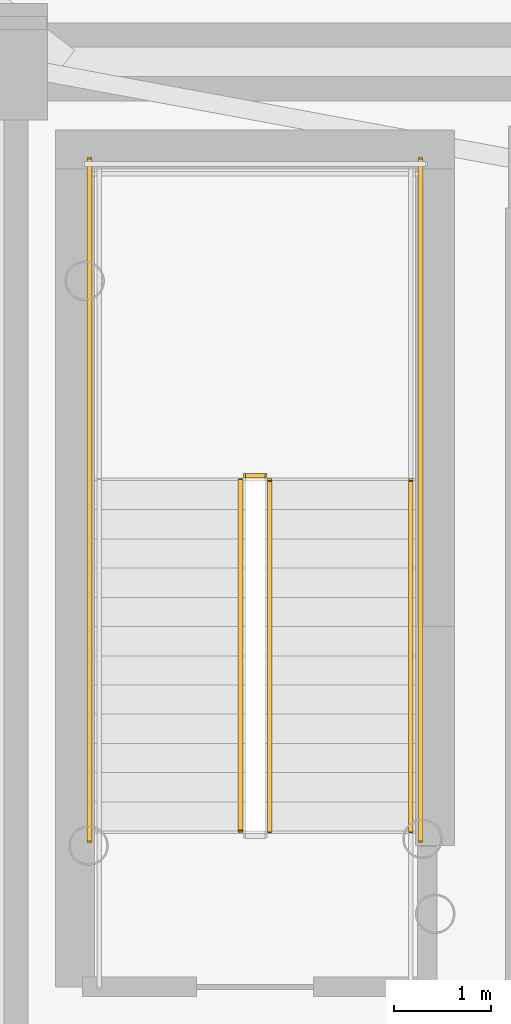
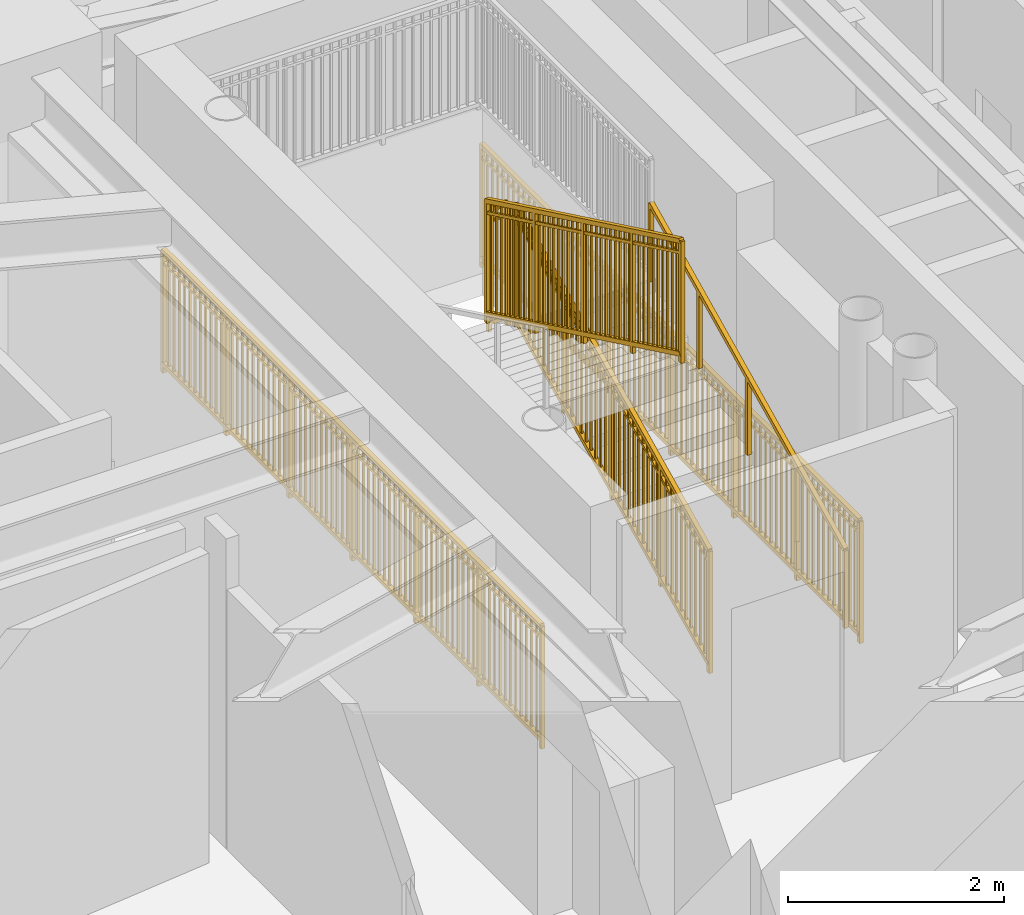
# One storey, part 15 of 19: 6 railings.
"""IFC4 building model written with IfcOpenShell, lengths in metres."""

from ifc_helpers import new_model, si_unit, direction, frame, origin, origin_2d, place, context, subcontext, project, spatial, rectangle, extrude, source, transform, mapped, material, type_object, element, save


model = new_model("IFC4")

# Units and contexts
model_context = context("Model", 3, precision=1e-05, world=origin(), true_north=direction((0.0, 1.0)))
body_context = subcontext(model_context, "Body", "Model", "MODEL_VIEW")
ifc_project = project(units=[si_unit("LENGTHUNIT", "METRE"), si_unit("AREAUNIT", "SQUARE_METRE"), si_unit("VOLUMEUNIT", "CUBIC_METRE"), si_unit("PLANEANGLEUNIT", "RADIAN"), si_unit("MASSUNIT", "GRAM", prefix="KILO")], contexts=[model_context])

# Site, building, storey
site_placement = place(None, origin())
site = spatial("IfcSite", under=ifc_project, at=site_placement, CompositionType="ELEMENT")
building_placement = place(site_placement, origin())
building = spatial("IfcBuilding", under=site, at=building_placement, Name="Linh Dai School and Residence Tower", CompositionType="ELEMENT")
storey_placement = place(building_placement, frame((0.0, 0.0, 174.89990234375)))
storey = spatial("IfcBuildingStorey", under=building, at=storey_placement, Name="L42", CompositionType="ELEMENT", Elevation=174.89990234375)

# Railings
ifc_material_1 = material(Name="Structural Steel S355JR", Category="steel")
railing_type_1 = type_object("IfcRailingType", Name="RL-ST-GUARD-1400", PredefinedType="GUARDRAIL", material=ifc_material_1)
shared_shape_1 = source(origin(), body_context, "Body", "SweptSolid", [
    extrude(rectangle(XDim=0.048095703125, YDim=0.048095703125, at=origin_2d()), frame((0.0, 0.0, 1.3759765625), z_axis=(-1.0, 0.0, 0.0), x_axis=(0.0, -1.0, 0.0)), (0.0, 0.0, 1.0), 0.199951171875),
    extrude(rectangle(XDim=0.048095703125, YDim=0.048095703125, at=origin_2d()), frame((0.0, 0.0, 0.10009765625), z_axis=(-1.0, 0.0, 0.0), x_axis=(0.0, -1.0, 0.0)), (0.0, 0.0, 1.0), 0.199951171875),
    extrude(rectangle(XDim=0.030029296875, YDim=0.030029296875, at=origin_2d()), frame((0.0, 0.0, 1.239990234375), z_axis=(-1.0, 0.0, 0.0), x_axis=(0.0, -1.0, 0.0)), (0.0, 0.0, 1.0), 0.199951171875),
    extrude(rectangle(XDim=0.0419921875, YDim=0.0419921875, at=origin_2d()), origin(), (0.0, 0.0, 1.0), 1.3759765625),
    extrude(rectangle(XDim=0.0419921875, YDim=0.0419921875, at=origin_2d()), frame((-0.199951171875, 0.0, 0.0)), (0.0, 0.0, 1.0), 1.3759765625),
])
railing_1_placement = place(storey_placement, frame((29.429931640625, 29.35009765625, 1.875)))
element("IfcRailing", 1, at=railing_1_placement, inside=storey, type_object=railing_type_1, Name="L42 ST1 stair guard 2", PredefinedType="GUARDRAIL", context=body_context, shape_type="MappedRepresentation", body=[
    mapped(shared_shape_1, transform((0.0, 0.0, 0.0), x_axis=(1.0, 0.0, 0.0), y_axis=(0.0, 1.0, 0.0), z_axis=(0.0, 0.0, 1.0), scale=1.0)),
])
shared_shape_2 = source(origin(), body_context, "Body", "SweptSolid", [
    extrude(rectangle(XDim=0.048095703125, YDim=0.048095703125, at=origin_2d()), frame((0.0, 0.0, 1.3759765625), z_axis=(0.0, 1.0, 0.0), x_axis=(-1.0, 0.0, 0.0)), (0.0, 0.0, 1.0), 7.0),
    extrude(rectangle(XDim=0.048095703125, YDim=0.048095703125, at=origin_2d()), frame((0.0, 0.0, 0.10009765625), z_axis=(0.0, 1.0, 0.0), x_axis=(-1.0, 0.0, 0.0)), (0.0, 0.0, 1.0), 7.0),
    extrude(rectangle(XDim=0.030029296875, YDim=0.030029296875, at=origin_2d()), frame((0.0, 0.0, 1.239990234375), z_axis=(0.0, 1.0, 0.0), x_axis=(-1.0, 0.0, 0.0)), (0.0, 0.0, 1.0), 7.0),
    extrude(rectangle(XDim=0.02001953125, YDim=0.02001953125, at=origin_2d()), frame((0.0, 0.09716796875, 0.10009765625)), (0.0, 0.0, 1.0), 1.251708984375),
    extrude(rectangle(XDim=0.02001953125, YDim=0.02001953125, at=origin_2d()), frame((0.0, 0.1943359375, 0.10009765625)), (0.0, 0.0, 1.0), 1.251708984375),
    extrude(rectangle(XDim=0.02001953125, YDim=0.02001953125, at=origin_2d()), frame((0.0, 0.291748046875, 0.10009765625)), (0.0, 0.0, 1.0), 1.251708984375),
    extrude(rectangle(XDim=0.02001953125, YDim=0.02001953125, at=origin_2d()), frame((0.0, 0.388916015625, 0.10009765625)), (0.0, 0.0, 1.0), 1.251708984375),
    extrude(rectangle(XDim=0.02001953125, YDim=0.02001953125, at=origin_2d()), frame((0.0, 0.486083984375, 0.10009765625)), (0.0, 0.0, 1.0), 1.251708984375),
    extrude(rectangle(XDim=0.02001953125, YDim=0.02001953125, at=origin_2d()), frame((0.0, 0.583251953125, 0.10009765625)), (0.0, 0.0, 1.0), 1.251708984375),
    extrude(rectangle(XDim=0.02001953125, YDim=0.02001953125, at=origin_2d()), frame((0.0, 0.6806640625, 0.10009765625)), (0.0, 0.0, 1.0), 1.251708984375),
    extrude(rectangle(XDim=0.02001953125, YDim=0.02001953125, at=origin_2d()), frame((0.0, 0.77783203125, 0.10009765625)), (0.0, 0.0, 1.0), 1.251708984375),
    extrude(rectangle(XDim=0.02001953125, YDim=0.02001953125, at=origin_2d()), frame((0.0, 0.875, 0.10009765625)), (0.0, 0.0, 1.0), 1.251708984375),
    extrude(rectangle(XDim=0.02001953125, YDim=0.02001953125, at=origin_2d()), frame((0.0, 0.97216796875, 0.10009765625)), (0.0, 0.0, 1.0), 1.251708984375),
    extrude(rectangle(XDim=0.02001953125, YDim=0.02001953125, at=origin_2d()), frame((0.0, 1.0693359375, 0.10009765625)), (0.0, 0.0, 1.0), 1.251708984375),
    extrude(rectangle(XDim=0.02001953125, YDim=0.02001953125, at=origin_2d()), frame((0.0, 1.263916015625, 0.10009765625)), (0.0, 0.0, 1.0), 1.251708984375),
    extrude(rectangle(XDim=0.02001953125, YDim=0.02001953125, at=origin_2d()), frame((0.0, 1.361083984375, 0.10009765625)), (0.0, 0.0, 1.0), 1.251708984375),
    extrude(rectangle(XDim=0.02001953125, YDim=0.02001953125, at=origin_2d()), frame((0.0, 1.458251953125, 0.10009765625)), (0.0, 0.0, 1.0), 1.251708984375),
    extrude(rectangle(XDim=0.02001953125, YDim=0.02001953125, at=origin_2d()), frame((0.0, 1.5556640625, 0.10009765625)), (0.0, 0.0, 1.0), 1.251708984375),
    extrude(rectangle(XDim=0.02001953125, YDim=0.02001953125, at=origin_2d()), frame((0.0, 1.65283203125, 0.10009765625)), (0.0, 0.0, 1.0), 1.251708984375),
    extrude(rectangle(XDim=0.02001953125, YDim=0.02001953125, at=origin_2d()), frame((0.0, 1.75, 0.10009765625)), (0.0, 0.0, 1.0), 1.251708984375),
    extrude(rectangle(XDim=0.02001953125, YDim=0.02001953125, at=origin_2d()), frame((0.0, 1.84716796875, 0.10009765625)), (0.0, 0.0, 1.0), 1.251708984375),
    extrude(rectangle(XDim=0.02001953125, YDim=0.02001953125, at=origin_2d()), frame((0.0, 1.9443359375, 0.10009765625)), (0.0, 0.0, 1.0), 1.251708984375),
    extrude(rectangle(XDim=0.02001953125, YDim=0.02001953125, at=origin_2d()), frame((0.0, 2.041748046875, 0.10009765625)), (0.0, 0.0, 1.0), 1.251708984375),
    extrude(rectangle(XDim=0.02001953125, YDim=0.02001953125, at=origin_2d()), frame((0.0, 2.138916015625, 0.10009765625)), (0.0, 0.0, 1.0), 1.251708984375),
    extrude(rectangle(XDim=0.02001953125, YDim=0.02001953125, at=origin_2d()), frame((0.0, 2.236083984375, 0.10009765625)), (0.0, 0.0, 1.0), 1.251708984375),
    extrude(rectangle(XDim=0.02001953125, YDim=0.02001953125, at=origin_2d()), frame((0.0, 2.4306640625, 0.10009765625)), (0.0, 0.0, 1.0), 1.251708984375),
    extrude(rectangle(XDim=0.02001953125, YDim=0.02001953125, at=origin_2d()), frame((0.0, 2.52783203125, 0.10009765625)), (0.0, 0.0, 1.0), 1.251708984375),
    extrude(rectangle(XDim=0.02001953125, YDim=0.02001953125, at=origin_2d()), frame((0.0, 2.625, 0.10009765625)), (0.0, 0.0, 1.0), 1.251708984375),
    extrude(rectangle(XDim=0.02001953125, YDim=0.02001953125, at=origin_2d()), frame((0.0, 2.72216796875, 0.10009765625)), (0.0, 0.0, 1.0), 1.251708984375),
    extrude(rectangle(XDim=0.02001953125, YDim=0.02001953125, at=origin_2d()), frame((0.0, 2.8193359375, 0.10009765625)), (0.0, 0.0, 1.0), 1.251708984375),
    extrude(rectangle(XDim=0.02001953125, YDim=0.02001953125, at=origin_2d()), frame((0.0, 2.916748046875, 0.10009765625)), (0.0, 0.0, 1.0), 1.251708984375),
    extrude(rectangle(XDim=0.02001953125, YDim=0.02001953125, at=origin_2d()), frame((0.0, 3.013916015625, 0.10009765625)), (0.0, 0.0, 1.0), 1.251708984375),
    extrude(rectangle(XDim=0.02001953125, YDim=0.02001953125, at=origin_2d()), frame((0.0, 3.111083984375, 0.10009765625)), (0.0, 0.0, 1.0), 1.251708984375),
    extrude(rectangle(XDim=0.02001953125, YDim=0.02001953125, at=origin_2d()), frame((0.0, 3.208251953125, 0.10009765625)), (0.0, 0.0, 1.0), 1.251708984375),
    extrude(rectangle(XDim=0.02001953125, YDim=0.02001953125, at=origin_2d()), frame((0.0, 3.3056640625, 0.10009765625)), (0.0, 0.0, 1.0), 1.251708984375),
    extrude(rectangle(XDim=0.02001953125, YDim=0.02001953125, at=origin_2d()), frame((0.0, 3.40283203125, 0.10009765625)), (0.0, 0.0, 1.0), 1.251708984375),
    extrude(rectangle(XDim=0.02001953125, YDim=0.02001953125, at=origin_2d()), frame((0.0, 3.59716796875, 0.10009765625)), (0.0, 0.0, 1.0), 1.251708984375),
    extrude(rectangle(XDim=0.02001953125, YDim=0.02001953125, at=origin_2d()), frame((0.0, 3.6943359375, 0.10009765625)), (0.0, 0.0, 1.0), 1.251708984375),
    extrude(rectangle(XDim=0.02001953125, YDim=0.02001953125, at=origin_2d()), frame((0.0, 3.791748046875, 0.10009765625)), (0.0, 0.0, 1.0), 1.251708984375),
    extrude(rectangle(XDim=0.02001953125, YDim=0.02001953125, at=origin_2d()), frame((0.0, 3.888916015625, 0.10009765625)), (0.0, 0.0, 1.0), 1.251708984375),
    extrude(rectangle(XDim=0.02001953125, YDim=0.02001953125, at=origin_2d()), frame((0.0, 3.986083984375, 0.10009765625)), (0.0, 0.0, 1.0), 1.251708984375),
    extrude(rectangle(XDim=0.02001953125, YDim=0.02001953125, at=origin_2d()), frame((0.0, 4.083251953125, 0.10009765625)), (0.0, 0.0, 1.0), 1.251708984375),
    extrude(rectangle(XDim=0.02001953125, YDim=0.02001953125, at=origin_2d()), frame((0.0, 4.1806640625, 0.10009765625)), (0.0, 0.0, 1.0), 1.251708984375),
    extrude(rectangle(XDim=0.02001953125, YDim=0.02001953125, at=origin_2d()), frame((0.0, 4.27783203125, 0.10009765625)), (0.0, 0.0, 1.0), 1.251708984375),
    extrude(rectangle(XDim=0.02001953125, YDim=0.02001953125, at=origin_2d()), frame((0.0, 4.375, 0.10009765625)), (0.0, 0.0, 1.0), 1.251708984375),
    extrude(rectangle(XDim=0.02001953125, YDim=0.02001953125, at=origin_2d()), frame((0.0, 4.47216796875, 0.10009765625)), (0.0, 0.0, 1.0), 1.251708984375),
    extrude(rectangle(XDim=0.02001953125, YDim=0.02001953125, at=origin_2d()), frame((0.0, 4.5693359375, 0.10009765625)), (0.0, 0.0, 1.0), 1.251708984375),
    extrude(rectangle(XDim=0.02001953125, YDim=0.02001953125, at=origin_2d()), frame((0.0, 4.763916015625, 0.10009765625)), (0.0, 0.0, 1.0), 1.251708984375),
    extrude(rectangle(XDim=0.02001953125, YDim=0.02001953125, at=origin_2d()), frame((0.0, 4.861083984375, 0.10009765625)), (0.0, 0.0, 1.0), 1.251708984375),
    extrude(rectangle(XDim=0.02001953125, YDim=0.02001953125, at=origin_2d()), frame((0.0, 4.958251953125, 0.10009765625)), (0.0, 0.0, 1.0), 1.251708984375),
    extrude(rectangle(XDim=0.02001953125, YDim=0.02001953125, at=origin_2d()), frame((0.0, 5.0556640625, 0.10009765625)), (0.0, 0.0, 1.0), 1.251708984375),
    extrude(rectangle(XDim=0.02001953125, YDim=0.02001953125, at=origin_2d()), frame((0.0, 5.15283203125, 0.10009765625)), (0.0, 0.0, 1.0), 1.251708984375),
    extrude(rectangle(XDim=0.02001953125, YDim=0.02001953125, at=origin_2d()), frame((0.0, 5.25, 0.10009765625)), (0.0, 0.0, 1.0), 1.251708984375),
    extrude(rectangle(XDim=0.02001953125, YDim=0.02001953125, at=origin_2d()), frame((0.0, 5.34716796875, 0.10009765625)), (0.0, 0.0, 1.0), 1.251708984375),
    extrude(rectangle(XDim=0.02001953125, YDim=0.02001953125, at=origin_2d()), frame((0.0, 5.4443359375, 0.10009765625)), (0.0, 0.0, 1.0), 1.251708984375),
    extrude(rectangle(XDim=0.02001953125, YDim=0.02001953125, at=origin_2d()), frame((0.0, 5.541748046875, 0.10009765625)), (0.0, 0.0, 1.0), 1.251708984375),
    extrude(rectangle(XDim=0.02001953125, YDim=0.02001953125, at=origin_2d()), frame((0.0, 5.638916015625, 0.10009765625)), (0.0, 0.0, 1.0), 1.251708984375),
    extrude(rectangle(XDim=0.02001953125, YDim=0.02001953125, at=origin_2d()), frame((0.0, 5.736083984375, 0.10009765625)), (0.0, 0.0, 1.0), 1.251708984375),
    extrude(rectangle(XDim=0.02001953125, YDim=0.02001953125, at=origin_2d()), frame((0.0, 5.9306640625, 0.10009765625)), (0.0, 0.0, 1.0), 1.251708984375),
    extrude(rectangle(XDim=0.02001953125, YDim=0.02001953125, at=origin_2d()), frame((0.0, 6.02783203125, 0.10009765625)), (0.0, 0.0, 1.0), 1.251708984375),
    extrude(rectangle(XDim=0.02001953125, YDim=0.02001953125, at=origin_2d()), frame((0.0, 6.125, 0.10009765625)), (0.0, 0.0, 1.0), 1.251708984375),
    extrude(rectangle(XDim=0.02001953125, YDim=0.02001953125, at=origin_2d()), frame((0.0, 6.22216796875, 0.10009765625)), (0.0, 0.0, 1.0), 1.251708984375),
    extrude(rectangle(XDim=0.02001953125, YDim=0.02001953125, at=origin_2d()), frame((0.0, 6.3193359375, 0.10009765625)), (0.0, 0.0, 1.0), 1.251708984375),
    extrude(rectangle(XDim=0.02001953125, YDim=0.02001953125, at=origin_2d()), frame((0.0, 6.416748046875, 0.10009765625)), (0.0, 0.0, 1.0), 1.251708984375),
    extrude(rectangle(XDim=0.02001953125, YDim=0.02001953125, at=origin_2d()), frame((0.0, 6.513916015625, 0.10009765625)), (0.0, 0.0, 1.0), 1.251708984375),
    extrude(rectangle(XDim=0.02001953125, YDim=0.02001953125, at=origin_2d()), frame((0.0, 6.611083984375, 0.10009765625)), (0.0, 0.0, 1.0), 1.251708984375),
    extrude(rectangle(XDim=0.02001953125, YDim=0.02001953125, at=origin_2d()), frame((0.0, 6.708251953125, 0.10009765625)), (0.0, 0.0, 1.0), 1.251708984375),
    extrude(rectangle(XDim=0.02001953125, YDim=0.02001953125, at=origin_2d()), frame((0.0, 6.8056640625, 0.10009765625)), (0.0, 0.0, 1.0), 1.251708984375),
    extrude(rectangle(XDim=0.02001953125, YDim=0.02001953125, at=origin_2d()), frame((0.0, 6.90283203125, 0.10009765625)), (0.0, 0.0, 1.0), 1.251708984375),
    extrude(rectangle(XDim=0.0419921875, YDim=0.0419921875, at=origin_2d()), origin(), (0.0, 0.0, 1.0), 1.3759765625),
    extrude(rectangle(XDim=0.0419921875, YDim=0.0419921875, at=origin_2d()), frame((0.0, 1.166748046875, 0.0)), (0.0, 0.0, 1.0), 1.3759765625),
    extrude(rectangle(XDim=0.0419921875, YDim=0.0419921875, at=origin_2d()), frame((0.0, 2.333251953125, 0.0)), (0.0, 0.0, 1.0), 1.3759765625),
    extrude(rectangle(XDim=0.0419921875, YDim=0.0419921875, at=origin_2d()), frame((0.0, 3.5, 0.0)), (0.0, 0.0, 1.0), 1.3759765625),
    extrude(rectangle(XDim=0.0419921875, YDim=0.0419921875, at=origin_2d()), frame((0.0, 4.666748046875, 0.0)), (0.0, 0.0, 1.0), 1.3759765625),
    extrude(rectangle(XDim=0.0419921875, YDim=0.0419921875, at=origin_2d()), frame((0.0, 5.833251953125, 0.0)), (0.0, 0.0, 1.0), 1.3759765625),
    extrude(rectangle(XDim=0.0419921875, YDim=0.0419921875, at=origin_2d()), frame((0.0, 7.0, 0.0)), (0.0, 0.0, 1.0), 1.3759765625),
])
for number, where, name in (
    (2, (31.030029296875, 25.60009765625, 0.0), "L42 ST1 stair guard 10"),
    (3, (27.6298828125, 25.60009765625, 0.0), "L42 ST1 stair guard 11"),
):
    element("IfcRailing", number, at=place(storey_placement, frame(where)), inside=storey, type_object=railing_type_1, Name=name, PredefinedType="GUARDRAIL", context=body_context, shape_type="MappedRepresentation", body=[
        mapped(shared_shape_2, transform((0.0, 0.0, 0.0), x_axis=(1.0, 0.0, 0.0), y_axis=(0.0, 1.0, 0.0), z_axis=(0.0, 0.0, 1.0), scale=1.0)),
    ])
shared_shape_3 = source(origin(), body_context, "Body", "SweptSolid", [
    extrude(rectangle(XDim=0.048095703125, YDim=0.048095703125, at=origin_2d()), frame((0.0, 0.0, 1.3759765625), z_axis=(0.0, 0.901262522062, 0.433273431364), x_axis=(-1.0, 0.0, 0.0)), (0.0, 0.0, 1.0), 3.994384765625),
    extrude(rectangle(XDim=0.048095703125, YDim=0.048095703125, at=origin_2d()), frame((0.0, 0.0, 0.10009765625), z_axis=(0.0, 0.901262522062, 0.433273431364), x_axis=(-1.0, 0.0, 0.0)), (0.0, 0.0, 1.0), 3.994384765625),
    extrude(rectangle(XDim=0.030029296875, YDim=0.030029296875, at=origin_2d()), frame((0.0, 0.0, 1.239990234375), z_axis=(0.0, 0.901262522062, 0.433273431364), x_axis=(-1.0, 0.0, 0.0)), (0.0, 0.0, 1.0), 3.994384765625),
    extrude(rectangle(XDim=0.02001953125, YDim=0.02001953125, at=origin_2d()), frame((0.0, 0.087890625, 0.142333984375)), (0.0, 0.0, 1.0), 1.251708984375),
    extrude(rectangle(XDim=0.02001953125, YDim=0.02001953125, at=origin_2d()), frame((0.0, 0.175537109375, 0.1845703125)), (0.0, 0.0, 1.0), 1.251708984375),
    extrude(rectangle(XDim=0.02001953125, YDim=0.02001953125, at=origin_2d()), frame((0.0, 0.263427734375, 0.226806640625)), (0.0, 0.0, 1.0), 1.251708984375),
    extrude(rectangle(XDim=0.02001953125, YDim=0.02001953125, at=origin_2d()), frame((0.0, 0.351318359375, 0.26904296875)), (0.0, 0.0, 1.0), 1.251708984375),
    extrude(rectangle(XDim=0.02001953125, YDim=0.02001953125, at=origin_2d()), frame((0.0, 0.43896484375, 0.311279296875)), (0.0, 0.0, 1.0), 1.251708984375),
    extrude(rectangle(XDim=0.02001953125, YDim=0.02001953125, at=origin_2d()), frame((0.0, 0.52685546875, 0.353271484375)), (0.0, 0.0, 1.0), 1.251708984375),
    extrude(rectangle(XDim=0.02001953125, YDim=0.02001953125, at=origin_2d()), frame((0.0, 0.61474609375, 0.3955078125)), (0.0, 0.0, 1.0), 1.251708984375),
    extrude(rectangle(XDim=0.02001953125, YDim=0.02001953125, at=origin_2d()), frame((0.0, 0.702392578125, 0.437744140625)), (0.0, 0.0, 1.0), 1.251708984375),
    extrude(rectangle(XDim=0.02001953125, YDim=0.02001953125, at=origin_2d()), frame((0.0, 0.790283203125, 0.47998046875)), (0.0, 0.0, 1.0), 1.251708984375),
    extrude(rectangle(XDim=0.02001953125, YDim=0.02001953125, at=origin_2d()), frame((0.0, 0.9658203125, 0.564453125)), (0.0, 0.0, 1.0), 1.251708984375),
    extrude(rectangle(XDim=0.02001953125, YDim=0.02001953125, at=origin_2d()), frame((0.0, 1.0537109375, 0.606689453125)), (0.0, 0.0, 1.0), 1.251708984375),
    extrude(rectangle(XDim=0.02001953125, YDim=0.02001953125, at=origin_2d()), frame((0.0, 1.1416015625, 0.64892578125)), (0.0, 0.0, 1.0), 1.251708984375),
    extrude(rectangle(XDim=0.02001953125, YDim=0.02001953125, at=origin_2d()), frame((0.0, 1.229248046875, 0.691162109375)), (0.0, 0.0, 1.0), 1.251708984375),
    extrude(rectangle(XDim=0.02001953125, YDim=0.02001953125, at=origin_2d()), frame((0.0, 1.317138671875, 0.7333984375)), (0.0, 0.0, 1.0), 1.251708984375),
    extrude(rectangle(XDim=0.02001953125, YDim=0.02001953125, at=origin_2d()), frame((0.0, 1.405029296875, 0.775390625)), (0.0, 0.0, 1.0), 1.251708984375),
    extrude(rectangle(XDim=0.02001953125, YDim=0.02001953125, at=origin_2d()), frame((0.0, 1.49267578125, 0.817626953125)), (0.0, 0.0, 1.0), 1.251708984375),
    extrude(rectangle(XDim=0.02001953125, YDim=0.02001953125, at=origin_2d()), frame((0.0, 1.58056640625, 0.85986328125)), (0.0, 0.0, 1.0), 1.251708984375),
    extrude(rectangle(XDim=0.02001953125, YDim=0.02001953125, at=origin_2d()), frame((0.0, 1.66845703125, 0.902099609375)), (0.0, 0.0, 1.0), 1.251708984375),
    extrude(rectangle(XDim=0.02001953125, YDim=0.02001953125, at=origin_2d()), frame((0.0, 1.756103515625, 0.9443359375)), (0.0, 0.0, 1.0), 1.251708984375),
    extrude(rectangle(XDim=0.02001953125, YDim=0.02001953125, at=origin_2d()), frame((0.0, 1.843994140625, 0.986572265625)), (0.0, 0.0, 1.0), 1.251708984375),
    extrude(rectangle(XDim=0.02001953125, YDim=0.02001953125, at=origin_2d()), frame((0.0, 1.931640625, 1.02880859375)), (0.0, 0.0, 1.0), 1.251708984375),
    extrude(rectangle(XDim=0.02001953125, YDim=0.02001953125, at=origin_2d()), frame((0.0, 2.01953125, 1.071044921875)), (0.0, 0.0, 1.0), 1.251708984375),
    extrude(rectangle(XDim=0.02001953125, YDim=0.02001953125, at=origin_2d()), frame((0.0, 2.107421875, 1.11328125)), (0.0, 0.0, 1.0), 1.251708984375),
    extrude(rectangle(XDim=0.02001953125, YDim=0.02001953125, at=origin_2d()), frame((0.0, 2.195068359375, 1.155517578125)), (0.0, 0.0, 1.0), 1.251708984375),
    extrude(rectangle(XDim=0.02001953125, YDim=0.02001953125, at=origin_2d()), frame((0.0, 2.282958984375, 1.197509765625)), (0.0, 0.0, 1.0), 1.251708984375),
    extrude(rectangle(XDim=0.02001953125, YDim=0.02001953125, at=origin_2d()), frame((0.0, 2.370849609375, 1.23974609375)), (0.0, 0.0, 1.0), 1.251708984375),
    extrude(rectangle(XDim=0.02001953125, YDim=0.02001953125, at=origin_2d()), frame((0.0, 2.45849609375, 1.281982421875)), (0.0, 0.0, 1.0), 1.251708984375),
    extrude(rectangle(XDim=0.02001953125, YDim=0.02001953125, at=origin_2d()), frame((0.0, 2.54638671875, 1.32421875)), (0.0, 0.0, 1.0), 1.251708984375),
    extrude(rectangle(XDim=0.02001953125, YDim=0.02001953125, at=origin_2d()), frame((0.0, 2.63427734375, 1.366455078125)), (0.0, 0.0, 1.0), 1.251708984375),
    extrude(rectangle(XDim=0.02001953125, YDim=0.02001953125, at=origin_2d()), frame((0.0, 2.809814453125, 1.450927734375)), (0.0, 0.0, 1.0), 1.251708984375),
    extrude(rectangle(XDim=0.02001953125, YDim=0.02001953125, at=origin_2d()), frame((0.0, 2.897705078125, 1.4931640625)), (0.0, 0.0, 1.0), 1.251708984375),
    extrude(rectangle(XDim=0.02001953125, YDim=0.02001953125, at=origin_2d()), frame((0.0, 2.9853515625, 1.535400390625)), (0.0, 0.0, 1.0), 1.251708984375),
    extrude(rectangle(XDim=0.02001953125, YDim=0.02001953125, at=origin_2d()), frame((0.0, 3.0732421875, 1.57763671875)), (0.0, 0.0, 1.0), 1.251708984375),
    extrude(rectangle(XDim=0.02001953125, YDim=0.02001953125, at=origin_2d()), frame((0.0, 3.1611328125, 1.61962890625)), (0.0, 0.0, 1.0), 1.251708984375),
    extrude(rectangle(XDim=0.02001953125, YDim=0.02001953125, at=origin_2d()), frame((0.0, 3.248779296875, 1.661865234375)), (0.0, 0.0, 1.0), 1.251708984375),
    extrude(rectangle(XDim=0.02001953125, YDim=0.02001953125, at=origin_2d()), frame((0.0, 3.336669921875, 1.7041015625)), (0.0, 0.0, 1.0), 1.251708984375),
    extrude(rectangle(XDim=0.02001953125, YDim=0.02001953125, at=origin_2d()), frame((0.0, 3.424560546875, 1.746337890625)), (0.0, 0.0, 1.0), 1.251708984375),
    extrude(rectangle(XDim=0.02001953125, YDim=0.02001953125, at=origin_2d()), frame((0.0, 3.51220703125, 1.78857421875)), (0.0, 0.0, 1.0), 1.251708984375),
    extrude(rectangle(XDim=0.0419921875, YDim=0.0419921875, at=origin_2d()), origin(), (0.0, 0.0, 1.0), 1.3759765625),
    extrude(rectangle(XDim=0.0419921875, YDim=0.0419921875, at=origin_2d()), frame((0.0, 0.89990234375, 0.4326171875)), (0.0, 0.0, 1.0), 1.3759765625),
    extrude(rectangle(XDim=0.0419921875, YDim=0.0419921875, at=origin_2d()), frame((0.0, 1.800048828125, 0.865234375)), (0.0, 0.0, 1.0), 1.3759765625),
    extrude(rectangle(XDim=0.0419921875, YDim=0.0419921875, at=origin_2d()), frame((0.0, 2.7001953125, 1.298095703125)), (0.0, 0.0, 1.0), 1.3759765625),
    extrude(rectangle(XDim=0.0419921875, YDim=0.0419921875, at=origin_2d()), frame((0.0, 3.60009765625, 1.730712890625)), (0.0, 0.0, 1.0), 1.3759765625),
])
railing_2_placement = place(storey_placement, frame((29.47998046875, 25.699951171875, 0.144287109375)))
element("IfcRailing", 4, at=railing_2_placement, inside=storey, type_object=railing_type_1, Name="L42 ST1 stair guard 1", PredefinedType="GUARDRAIL", context=body_context, shape_type="MappedRepresentation", body=[
    mapped(shared_shape_3, transform((0.0, 0.0, 0.0), x_axis=(1.0, 0.0, 0.0), y_axis=(0.0, 1.0, 0.0), z_axis=(0.0, 0.0, 1.0), scale=1.0)),
])
shared_shape_4 = source(origin(), body_context, "Body", "SweptSolid", [
    extrude(rectangle(XDim=0.048095703125, YDim=0.048095703125, at=origin_2d()), frame((0.0, 0.0, 1.3759765625), z_axis=(0.0, -0.901262522062, 0.433273431364), x_axis=(1.0, 0.0, 0.0)), (0.0, 0.0, 1.0), 3.994384765625),
    extrude(rectangle(XDim=0.048095703125, YDim=0.048095703125, at=origin_2d()), frame((0.0, 0.0, 0.10009765625), z_axis=(0.0, -0.901262522062, 0.433273431364), x_axis=(1.0, 0.0, 0.0)), (0.0, 0.0, 1.0), 3.994384765625),
    extrude(rectangle(XDim=0.030029296875, YDim=0.030029296875, at=origin_2d()), frame((0.0, 0.0, 1.239990234375), z_axis=(0.0, -0.901262522062, 0.433273431364), x_axis=(1.0, 0.0, 0.0)), (0.0, 0.0, 1.0), 3.994384765625),
    extrude(rectangle(XDim=0.02001953125, YDim=0.02001953125, at=origin_2d()), frame((0.0, -0.087890625, 0.142333984375)), (0.0, 0.0, 1.0), 1.251708984375),
    extrude(rectangle(XDim=0.02001953125, YDim=0.02001953125, at=origin_2d()), frame((0.0, -0.175537109375, 0.1845703125)), (0.0, 0.0, 1.0), 1.251708984375),
    extrude(rectangle(XDim=0.02001953125, YDim=0.02001953125, at=origin_2d()), frame((0.0, -0.263427734375, 0.226806640625)), (0.0, 0.0, 1.0), 1.251708984375),
    extrude(rectangle(XDim=0.02001953125, YDim=0.02001953125, at=origin_2d()), frame((0.0, -0.351318359375, 0.26904296875)), (0.0, 0.0, 1.0), 1.251708984375),
    extrude(rectangle(XDim=0.02001953125, YDim=0.02001953125, at=origin_2d()), frame((0.0, -0.43896484375, 0.311279296875)), (0.0, 0.0, 1.0), 1.251708984375),
    extrude(rectangle(XDim=0.02001953125, YDim=0.02001953125, at=origin_2d()), frame((0.0, -0.52685546875, 0.353271484375)), (0.0, 0.0, 1.0), 1.251708984375),
    extrude(rectangle(XDim=0.02001953125, YDim=0.02001953125, at=origin_2d()), frame((0.0, -0.61474609375, 0.3955078125)), (0.0, 0.0, 1.0), 1.251708984375),
    extrude(rectangle(XDim=0.02001953125, YDim=0.02001953125, at=origin_2d()), frame((0.0, -0.702392578125, 0.437744140625)), (0.0, 0.0, 1.0), 1.251708984375),
    extrude(rectangle(XDim=0.02001953125, YDim=0.02001953125, at=origin_2d()), frame((0.0, -0.790283203125, 0.47998046875)), (0.0, 0.0, 1.0), 1.251708984375),
    extrude(rectangle(XDim=0.02001953125, YDim=0.02001953125, at=origin_2d()), frame((0.0, -0.9658203125, 0.564453125)), (0.0, 0.0, 1.0), 1.251708984375),
    extrude(rectangle(XDim=0.02001953125, YDim=0.02001953125, at=origin_2d()), frame((0.0, -1.0537109375, 0.606689453125)), (0.0, 0.0, 1.0), 1.251708984375),
    extrude(rectangle(XDim=0.02001953125, YDim=0.02001953125, at=origin_2d()), frame((0.0, -1.1416015625, 0.64892578125)), (0.0, 0.0, 1.0), 1.251708984375),
    extrude(rectangle(XDim=0.02001953125, YDim=0.02001953125, at=origin_2d()), frame((0.0, -1.229248046875, 0.691162109375)), (0.0, 0.0, 1.0), 1.251708984375),
    extrude(rectangle(XDim=0.02001953125, YDim=0.02001953125, at=origin_2d()), frame((0.0, -1.317138671875, 0.7333984375)), (0.0, 0.0, 1.0), 1.251708984375),
    extrude(rectangle(XDim=0.02001953125, YDim=0.02001953125, at=origin_2d()), frame((0.0, -1.405029296875, 0.775390625)), (0.0, 0.0, 1.0), 1.251708984375),
    extrude(rectangle(XDim=0.02001953125, YDim=0.02001953125, at=origin_2d()), frame((0.0, -1.49267578125, 0.817626953125)), (0.0, 0.0, 1.0), 1.251708984375),
    extrude(rectangle(XDim=0.02001953125, YDim=0.02001953125, at=origin_2d()), frame((0.0, -1.58056640625, 0.85986328125)), (0.0, 0.0, 1.0), 1.251708984375),
    extrude(rectangle(XDim=0.02001953125, YDim=0.02001953125, at=origin_2d()), frame((0.0, -1.66845703125, 0.902099609375)), (0.0, 0.0, 1.0), 1.251708984375),
    extrude(rectangle(XDim=0.02001953125, YDim=0.02001953125, at=origin_2d()), frame((0.0, -1.756103515625, 0.9443359375)), (0.0, 0.0, 1.0), 1.251708984375),
    extrude(rectangle(XDim=0.02001953125, YDim=0.02001953125, at=origin_2d()), frame((0.0, -1.843994140625, 0.986572265625)), (0.0, 0.0, 1.0), 1.251708984375),
    extrude(rectangle(XDim=0.02001953125, YDim=0.02001953125, at=origin_2d()), frame((0.0, -1.931640625, 1.02880859375)), (0.0, 0.0, 1.0), 1.251708984375),
    extrude(rectangle(XDim=0.02001953125, YDim=0.02001953125, at=origin_2d()), frame((0.0, -2.01953125, 1.071044921875)), (0.0, 0.0, 1.0), 1.251708984375),
    extrude(rectangle(XDim=0.02001953125, YDim=0.02001953125, at=origin_2d()), frame((0.0, -2.107421875, 1.11328125)), (0.0, 0.0, 1.0), 1.251708984375),
    extrude(rectangle(XDim=0.02001953125, YDim=0.02001953125, at=origin_2d()), frame((0.0, -2.195068359375, 1.155517578125)), (0.0, 0.0, 1.0), 1.251708984375),
    extrude(rectangle(XDim=0.02001953125, YDim=0.02001953125, at=origin_2d()), frame((0.0, -2.282958984375, 1.197509765625)), (0.0, 0.0, 1.0), 1.251708984375),
    extrude(rectangle(XDim=0.02001953125, YDim=0.02001953125, at=origin_2d()), frame((0.0, -2.370849609375, 1.23974609375)), (0.0, 0.0, 1.0), 1.251708984375),
    extrude(rectangle(XDim=0.02001953125, YDim=0.02001953125, at=origin_2d()), frame((0.0, -2.45849609375, 1.281982421875)), (0.0, 0.0, 1.0), 1.251708984375),
    extrude(rectangle(XDim=0.02001953125, YDim=0.02001953125, at=origin_2d()), frame((0.0, -2.54638671875, 1.32421875)), (0.0, 0.0, 1.0), 1.251708984375),
    extrude(rectangle(XDim=0.02001953125, YDim=0.02001953125, at=origin_2d()), frame((0.0, -2.63427734375, 1.366455078125)), (0.0, 0.0, 1.0), 1.251708984375),
    extrude(rectangle(XDim=0.02001953125, YDim=0.02001953125, at=origin_2d()), frame((0.0, -2.809814453125, 1.450927734375)), (0.0, 0.0, 1.0), 1.251708984375),
    extrude(rectangle(XDim=0.02001953125, YDim=0.02001953125, at=origin_2d()), frame((0.0, -2.897705078125, 1.4931640625)), (0.0, 0.0, 1.0), 1.251708984375),
    extrude(rectangle(XDim=0.02001953125, YDim=0.02001953125, at=origin_2d()), frame((0.0, -2.9853515625, 1.535400390625)), (0.0, 0.0, 1.0), 1.251708984375),
    extrude(rectangle(XDim=0.02001953125, YDim=0.02001953125, at=origin_2d()), frame((0.0, -3.0732421875, 1.57763671875)), (0.0, 0.0, 1.0), 1.251708984375),
    extrude(rectangle(XDim=0.02001953125, YDim=0.02001953125, at=origin_2d()), frame((0.0, -3.1611328125, 1.61962890625)), (0.0, 0.0, 1.0), 1.251708984375),
    extrude(rectangle(XDim=0.02001953125, YDim=0.02001953125, at=origin_2d()), frame((0.0, -3.248779296875, 1.661865234375)), (0.0, 0.0, 1.0), 1.251708984375),
    extrude(rectangle(XDim=0.02001953125, YDim=0.02001953125, at=origin_2d()), frame((0.0, -3.336669921875, 1.7041015625)), (0.0, 0.0, 1.0), 1.251708984375),
    extrude(rectangle(XDim=0.02001953125, YDim=0.02001953125, at=origin_2d()), frame((0.0, -3.424560546875, 1.746337890625)), (0.0, 0.0, 1.0), 1.251708984375),
    extrude(rectangle(XDim=0.02001953125, YDim=0.02001953125, at=origin_2d()), frame((0.0, -3.51220703125, 1.78857421875)), (0.0, 0.0, 1.0), 1.251708984375),
    extrude(rectangle(XDim=0.0419921875, YDim=0.0419921875, at=origin_2d()), origin(), (0.0, 0.0, 1.0), 1.3759765625),
    extrude(rectangle(XDim=0.0419921875, YDim=0.0419921875, at=origin_2d()), frame((0.0, -0.89990234375, 0.4326171875)), (0.0, 0.0, 1.0), 1.3759765625),
    extrude(rectangle(XDim=0.0419921875, YDim=0.0419921875, at=origin_2d()), frame((0.0, -1.800048828125, 0.865234375)), (0.0, 0.0, 1.0), 1.3759765625),
    extrude(rectangle(XDim=0.0419921875, YDim=0.0419921875, at=origin_2d()), frame((0.0, -2.7001953125, 1.298095703125)), (0.0, 0.0, 1.0), 1.3759765625),
    extrude(rectangle(XDim=0.0419921875, YDim=0.0419921875, at=origin_2d()), frame((0.0, -3.60009765625, 1.730712890625)), (0.0, 0.0, 1.0), 1.3759765625),
])
railing_3_placement = place(storey_placement, frame((29.179931640625, 29.300048828125, 2.019287109375)))
element("IfcRailing", 5, at=railing_3_placement, inside=storey, type_object=railing_type_1, Name="L42 ST1 stair guard 6", PredefinedType="GUARDRAIL", context=body_context, shape_type="MappedRepresentation", body=[
    mapped(shared_shape_4, transform((0.0, 0.0, 0.0), x_axis=(1.0, 0.0, 0.0), y_axis=(0.0, 1.0, 0.0), z_axis=(0.0, 0.0, 1.0), scale=1.0)),
])
ifc_material_2 = material(Name="Brushed Stainless Steel Handrail", Category="steel")
railing_type_2 = type_object("IfcRailingType", Name="RL-ST-HANDRAIL-900", PredefinedType="HANDRAIL", material=ifc_material_2)
shared_shape_5 = source(origin(), body_context, "Body", "SweptSolid", [
    extrude(rectangle(XDim=0.048095703125, YDim=0.048095703125, at=origin_2d()), frame((0.0, 0.0, 0.8759765625), z_axis=(0.0, 0.901262522062, 0.433273431364), x_axis=(-1.0, 0.0, 0.0)), (0.0, 0.0, 1.0), 3.994384765625),
    extrude(rectangle(XDim=0.0419921875, YDim=0.0419921875, at=origin_2d()), origin(), (0.0, 0.0, 1.0), 0.8759765625),
    extrude(rectangle(XDim=0.0419921875, YDim=0.0419921875, at=origin_2d()), frame((0.0, 0.89990234375, 0.4326171875)), (0.0, 0.0, 1.0), 0.8759765625),
    extrude(rectangle(XDim=0.0419921875, YDim=0.0419921875, at=origin_2d()), frame((0.0, 1.800048828125, 0.865234375)), (0.0, 0.0, 1.0), 0.8759765625),
    extrude(rectangle(XDim=0.0419921875, YDim=0.0419921875, at=origin_2d()), frame((0.0, 2.7001953125, 1.298095703125)), (0.0, 0.0, 1.0), 0.8759765625),
    extrude(rectangle(XDim=0.0419921875, YDim=0.0419921875, at=origin_2d()), frame((0.0, 3.60009765625, 1.730712890625)), (0.0, 0.0, 1.0), 0.8759765625),
])
railing_4_placement = place(storey_placement, frame((30.929931640625, 25.699951171875, 0.144287109375)))
element("IfcRailing", 6, at=railing_4_placement, inside=storey, type_object=railing_type_2, Name="L42 ST1 stair handrail 1", PredefinedType="HANDRAIL", context=body_context, shape_type="MappedRepresentation", body=[
    mapped(shared_shape_5, transform((0.0, 0.0, 0.0), x_axis=(1.0, 0.0, 0.0), y_axis=(0.0, 1.0, 0.0), z_axis=(0.0, 0.0, 1.0), scale=1.0)),
])

save(model, "model.ifc")
